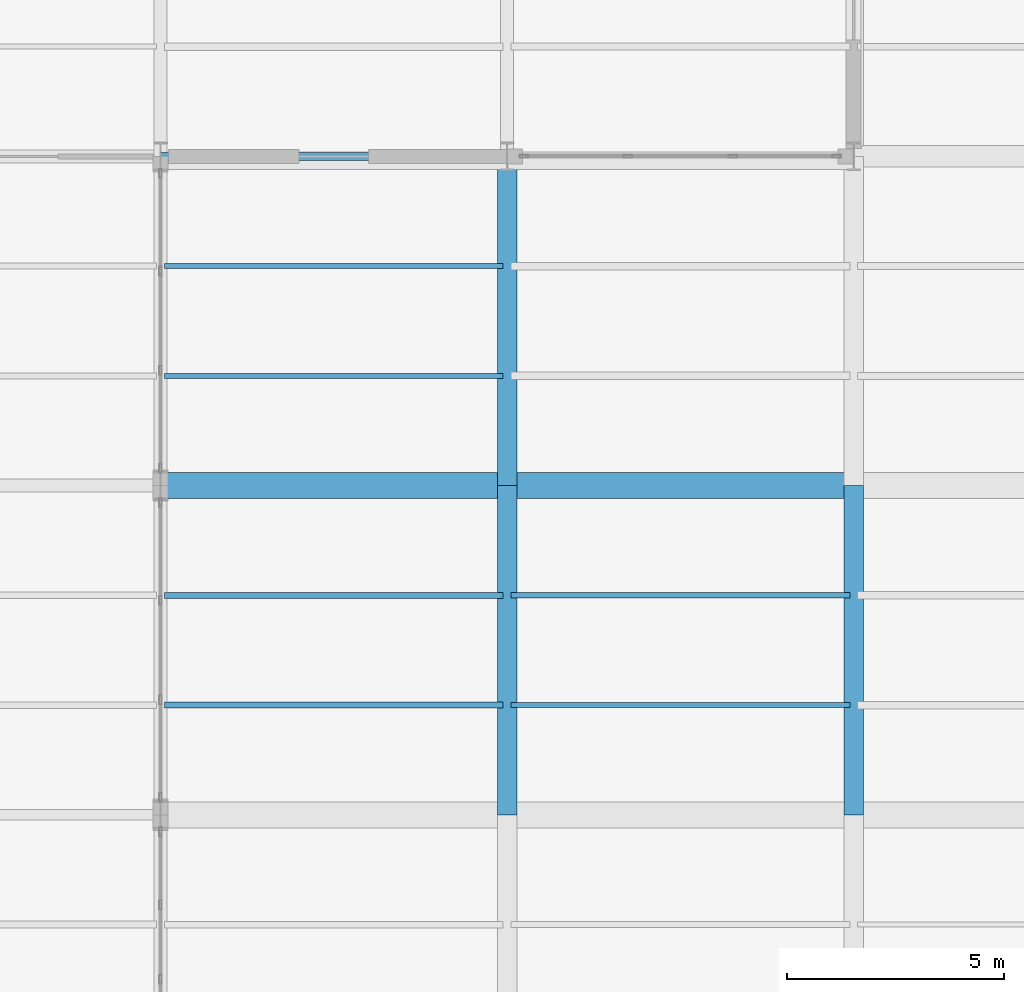
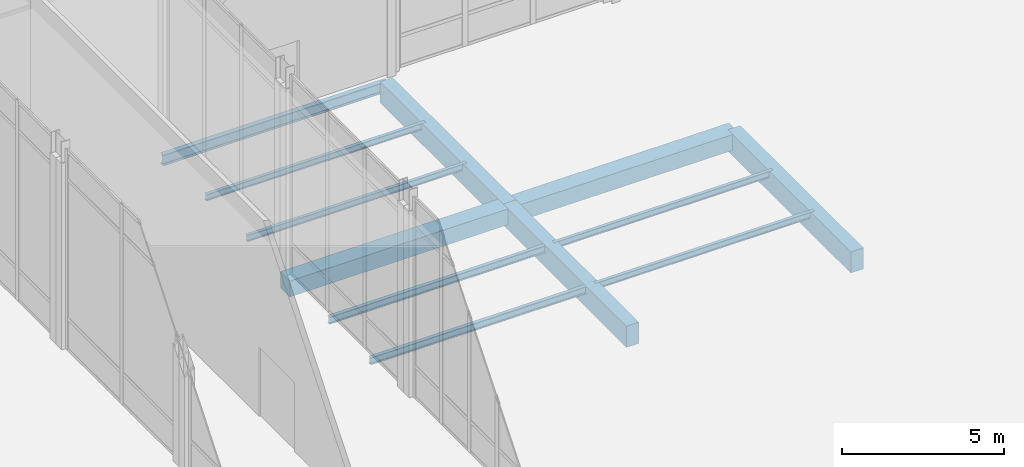
# One storey, part 77 of 176: 12 beams.
"""IFC4 building model written with IfcOpenShell, lengths in metres."""

from ifc_helpers import new_model, si_unit, direction, frame, origin, origin_2d, place, context, subcontext, project, spatial, rectangle, i_section, extrude, material, material_profile, profile_set, type_object, element, save


model = new_model("IFC4")

# Units and contexts
model_context = context("Model", 3, precision=1e-05, world=origin(), true_north=direction((0.0, 1.0)))
body_context = subcontext(model_context, "Body", "Model", "MODEL_VIEW")
ifc_project = project(units=[si_unit("LENGTHUNIT", "METRE"), si_unit("AREAUNIT", "SQUARE_METRE"), si_unit("VOLUMEUNIT", "CUBIC_METRE"), si_unit("PLANEANGLEUNIT", "RADIAN"), si_unit("MASSUNIT", "GRAM", prefix="KILO")], contexts=[model_context])

# Site, building, storey
site_placement = place(None, origin())
site = spatial("IfcSite", under=ifc_project, at=site_placement, CompositionType="ELEMENT")
building_placement = place(site_placement, origin())
building = spatial("IfcBuilding", under=site, at=building_placement, Name="Vekula Escarpment Museum", CompositionType="ELEMENT")
storey_placement = place(building_placement, origin())
storey = spatial("IfcBuildingStorey", under=building, at=storey_placement, Name="L01", CompositionType="ELEMENT", Elevation=0.0)

# Beams
ifc_material_1 = material(Name="Steel S355", Category="steel")
ifc_material_profile_1 = material_profile(ifc_material_1, i_section(OverallWidth=0.179931640625, OverallDepth=0.39990234375, WebThickness=0.008544921875, FlangeThickness=0.013427734375, FilletRadius=0.02099609375, at=origin_2d()), Name="IPE 400")
ifc_profile_set_1 = profile_set([ifc_material_profile_1], Name="Steel S355")
beam_type_1 = type_object("IfcBeamType", Name="BM-GIRD-IPE400", PredefinedType="BEAM", material=ifc_profile_set_1)
beam_1_placement = place(storey_placement, frame((102.0, 120.800048828125, -0.5), z_axis=(1.0, 0.0, 0.0), x_axis=(0.0, 1.0, 0.0)))
element("IfcBeam", 1, at=beam_1_placement, inside=storey, type_object=beam_type_1, Name="Beam X L01 0343", PredefinedType="BEAM", context=body_context, shape_type="SweptSolid", body=[
    extrude(i_section(OverallWidth=0.179931640625, OverallDepth=0.39990234375, WebThickness=0.008544921875, FlangeThickness=0.013427734375, FilletRadius=0.02099609375, at=origin_2d()), origin(), (0.0, 0.0, 1.0), 8.0),
])
ifc_material_2 = material(Name="Steel S355", Category="steel")
ifc_material_profile_2 = material_profile(ifc_material_2, i_section(OverallWidth=0.1201171875, OverallDepth=0.239990234375, WebThickness=0.006103515625, FlangeThickness=0.009765625, FilletRadius=0.014892578125, at=origin_2d()), Name="IPE 240")
ifc_profile_set_2 = profile_set([ifc_material_profile_2], Name="Steel S355")
beam_type_2 = type_object("IfcBeamType", Name="BM-JST-IPE240", PredefinedType="JOIST", material=ifc_profile_set_2)
for number, where, z_axis, x_axis, name in (
    (2, (102.090087890625, 115.7333984375, -0.419921875), (1.0, 0.0, 0.0), (0.0, 1.0, 0.0), "Secondary Joist L01 0346"),
    (3, (102.090087890625, 118.2666015625, -0.419921875), (1.0, 0.0, 0.0), (0.0, 1.0, 0.0), "Secondary Joist L01 0347"),
    (4, (110.090087890625, 108.13330078125, -0.419921875), (1.0, 0.0, 0.0), (0.0, 1.0, 0.0), "Secondary Joist L01 0375"),
    (5, (110.090087890625, 110.666748046875, -0.419921875), (1.0, 0.0, 0.0), (0.0, 1.0, 0.0), "Secondary Joist L01 0376"),
):
    element("IfcBeam", number, at=place(storey_placement, frame(where, z_axis=z_axis, x_axis=x_axis)), inside=storey, type_object=beam_type_2, Name=name, PredefinedType="JOIST", context=body_context, shape_type="SweptSolid", body=[
        extrude(i_section(OverallWidth=0.1201171875, OverallDepth=0.239990234375, WebThickness=0.006103515625, FlangeThickness=0.009765625, FilletRadius=0.014892578125, at=origin_2d()), origin(), (0.0, 0.0, 1.0), 7.81982421875),
    ])
ifc_material_3 = material(Name="Steel S355", Category="steel")
ifc_material_profile_3 = material_profile(ifc_material_3, i_section(OverallWidth=0.135009765625, OverallDepth=0.27001953125, WebThickness=0.006591796875, FlangeThickness=0.01025390625, FilletRadius=0.014892578125, at=origin_2d()), Name="IPE 270")
ifc_profile_set_3 = profile_set([ifc_material_profile_3], Name="Steel S355")
beam_type_3 = type_object("IfcBeamType", Name="BM-JST-IPE270", PredefinedType="JOIST", material=ifc_profile_set_3)
for number, where, z_axis, x_axis, name in (
    (6, (102.090087890625, 108.13330078125, -0.43505859375), (1.0, 0.0, 0.0), (0.0, 1.0, 0.0), "Secondary Joist L01 0344"),
    (7, (102.090087890625, 110.666748046875, -0.43505859375), (1.0, 0.0, 0.0), (0.0, 1.0, 0.0), "Secondary Joist L01 0345"),
):
    element("IfcBeam", number, at=place(storey_placement, frame(where, z_axis=z_axis, x_axis=x_axis)), inside=storey, type_object=beam_type_3, Name=name, PredefinedType="JOIST", context=body_context, shape_type="SweptSolid", body=[
        extrude(i_section(OverallWidth=0.135009765625, OverallDepth=0.27001953125, WebThickness=0.006591796875, FlangeThickness=0.01025390625, FilletRadius=0.014892578125, at=origin_2d()), origin(), (0.0, 0.0, 1.0), 7.81982421875),
    ])
ifc_material_4 = material(Name="Concrete C35/45", Category="concrete")
ifc_material_profile_4 = material_profile(ifc_material_4, rectangle(XDim=0.449951171875, YDim=0.800048828125, at=origin_2d()), Name="RC 450x800")
ifc_profile_set_4 = profile_set([ifc_material_profile_4], Name="Concrete C35/45")
beam_type_4 = type_object("IfcBeamType", Name="BM-PLINTH-RC", PredefinedType="BEAM", material=ifc_profile_set_4)
beam_2_placement = place(storey_placement, frame((110.0, 105.60009765625, -0.699951171875), z_axis=(0.0, 1.0, 0.0), x_axis=(-1.0, 0.0, 0.0)))
element("IfcBeam", 8, at=beam_2_placement, inside=storey, type_object=beam_type_4, Name="Beam Y L01 0626", PredefinedType="BEAM", context=body_context, shape_type="SweptSolid", body=[
    extrude(rectangle(XDim=0.449951171875, YDim=0.800048828125, at=origin_2d()), origin(), (0.0, 0.0, 1.0), 7.599853515625),
])
beam_3_placement = place(storey_placement, frame((110.0, 113.199951171875, -0.699951171875), z_axis=(0.0, 1.0, 0.0), x_axis=(-1.0, 0.0, 0.0)))
element("IfcBeam", 9, at=beam_3_placement, inside=storey, type_object=beam_type_4, Name="Beam Y L01 0627", PredefinedType="BEAM", context=body_context, shape_type="SweptSolid", body=[
    extrude(rectangle(XDim=0.449951171875, YDim=0.800048828125, at=origin_2d()), origin(), (0.0, 0.0, 1.0), 7.60009765625),
])
beam_4_placement = place(storey_placement, frame((118.0, 105.60009765625, -0.699951171875), z_axis=(0.0, 1.0, 0.0), x_axis=(-1.0, 0.0, 0.0)))
element("IfcBeam", 10, at=beam_4_placement, inside=storey, type_object=beam_type_4, Name="Beam Y L01 0644", PredefinedType="BEAM", context=body_context, shape_type="SweptSolid", body=[
    extrude(rectangle(XDim=0.449951171875, YDim=0.800048828125, at=origin_2d()), origin(), (0.0, 0.0, 1.0), 7.599853515625),
])
ifc_material_5 = material(Name="Concrete C35/45", Category="concrete")
ifc_material_profile_5 = material_profile(ifc_material_5, rectangle(XDim=0.60009765625, YDim=0.60009765625, at=origin_2d()), Name="RC 600x600")
ifc_profile_set_5 = profile_set([ifc_material_profile_5], Name="Concrete C35/45")
beam_type_5 = type_object("IfcBeamType", Name="BM-PLINTH-RC4", PredefinedType="BEAM", material=ifc_profile_set_5)
for number, where, z_axis, x_axis, name in (
    (11, (102.0, 113.199951171875, -0.60009765625), (1.0, 0.0, 0.0), (0.0, 1.0, 0.0), "Beam X L01 0320"),
    (12, (110.0, 113.199951171875, -0.60009765625), (1.0, 0.0, 0.0), (0.0, 1.0, 0.0), "Beam X L01 0321"),
):
    element("IfcBeam", number, at=place(storey_placement, frame(where, z_axis=z_axis, x_axis=x_axis)), inside=storey, type_object=beam_type_5, Name=name, PredefinedType="BEAM", context=body_context, shape_type="SweptSolid", body=[
        extrude(rectangle(XDim=0.60009765625, YDim=0.60009765625, at=origin_2d()), origin(), (0.0, 0.0, 1.0), 8.0),
    ])

save(model, "model.ifc")
